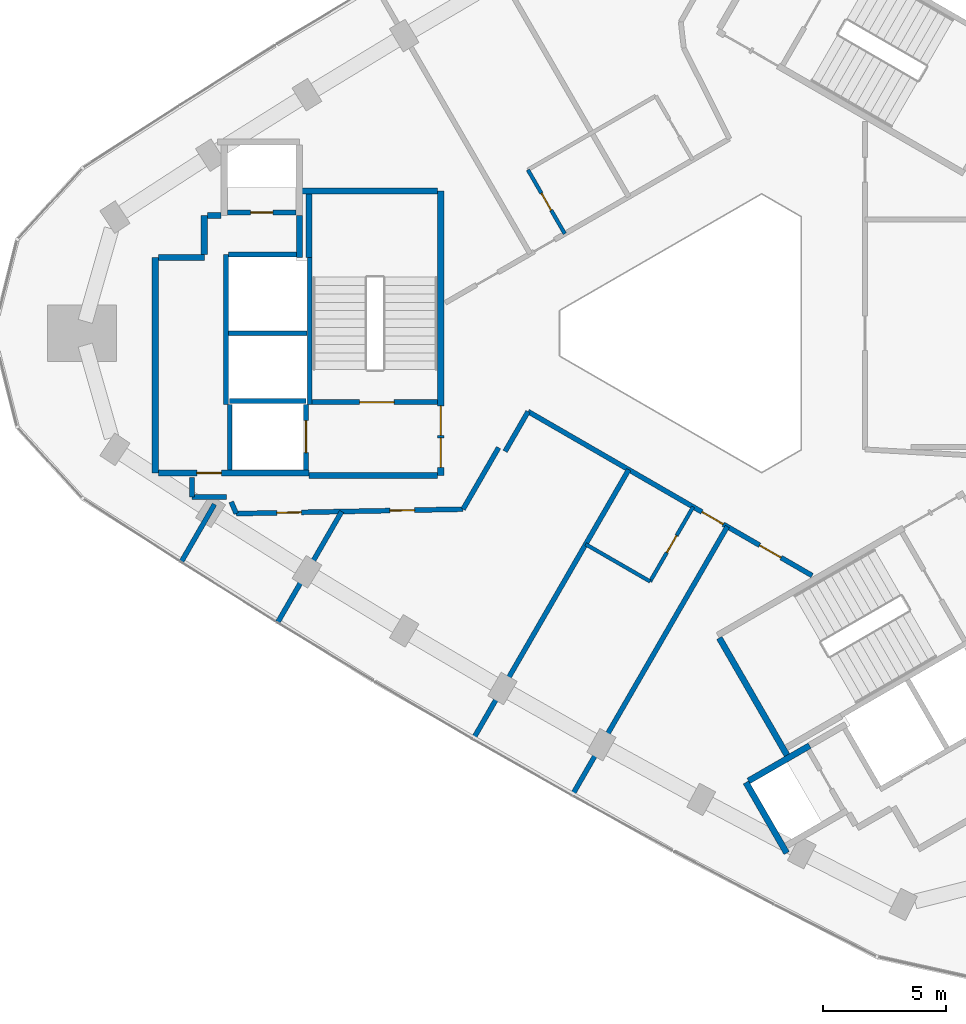
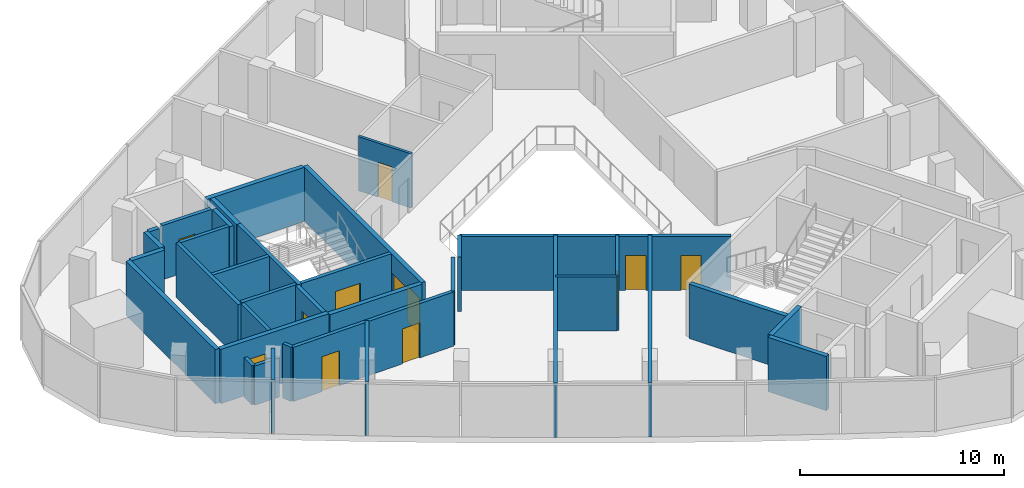
# One storey, part 7 of 11: 36 walls, 12 doors, 12 openings.
"""IFC4 building model written with IfcOpenShell, lengths in metres."""

import ifcopenshell
import ifcopenshell.guid

model = None  # the IFC model being written
_history = None  # IfcOwnerHistory: only IFC2X3 demands one
_inside = {}  # id of a spatial element -> (the spatial element, [elements in it])
_under = {}  # id of a project, library or spatial element -> (it, [spatial elements below it])
_declared = {}  # id of a project -> (the project, [libraries it declares])
_typed = {}  # id of a type object -> (the type object, [elements of that type])
_made_of = {}  # id of a material, layer set ... -> (it, [elements and type objects made of it])


def new_model(schema):
    """Start an empty IFC model of exactly this schema.

    Asked for "IFC4X3", IfcOpenShell would pick the latest addendum, in which some entities
    have other attributes; the version numbers below select the first issue.
    IFC2X3 requires an IfcOwnerHistory on every rooted entity: one is made here for all.
    """
    global model, _history
    if schema == "IFC4X3":
        model = ifcopenshell.file(schema_version=(4, 3, 0, 0))
    else:
        model = ifcopenshell.file(schema=schema)
    _inside.clear()
    _under.clear()
    _declared.clear()
    _typed.clear()
    _made_of.clear()
    _history = None
    if model.schema == "IFC2X3":
        org = make("IfcOrganization", Name="unknown")
        user = make(
            "IfcPersonAndOrganization",
            ThePerson=make("IfcPerson", FamilyName="unknown"),
            TheOrganization=org,
        )
        app = make(
            "IfcApplication",
            ApplicationDeveloper=org,
            Version="unknown",
            ApplicationFullName="unknown",
            ApplicationIdentifier="unknown",
        )
        _history = make(
            "IfcOwnerHistory",
            OwningUser=user,
            OwningApplication=app,
            ChangeAction="ADDED",
            CreationDate=0,
        )
    return model


def make(cls, **values):
    """One entity of the class cls with the attributes given. An attribute that is None is left unset."""
    return model.create_entity(
        cls, **{name: value for name, value in values.items() if value is not None}
    )


def rooted(cls, **values):
    """An entity with a GlobalId (a new one), such as an element, a storey or a relation."""
    return make(cls, GlobalId=ifcopenshell.guid.new(), OwnerHistory=_history, **values)


def si_unit(unit_type, name, prefix=None):
    """IfcSIUnit, for example si_unit("LENGTHUNIT", "METRE", prefix="MILLI")."""
    return make("IfcSIUnit", UnitType=unit_type, Prefix=prefix, Name=name)


def assignment(units):
    """IfcUnitAssignment: the units of a project."""
    return None if units is None else make("IfcUnitAssignment", Units=units)


def point(xyz):
    """IfcCartesianPoint."""
    return None if xyz is None else make("IfcCartesianPoint", Coordinates=xyz)


def direction(xyz):
    """IfcDirection."""
    return None if xyz is None else make("IfcDirection", DirectionRatios=xyz)


def frame(location, z_axis=None, x_axis=None):
    """IfcAxis2Placement3D, a coordinate frame: its origin and axes. An axis left out is left unset."""
    return make(
        "IfcAxis2Placement3D",
        Location=point(location),
        Axis=direction(z_axis),
        RefDirection=direction(x_axis),
    )


def frame_2d(location, x_axis=None):
    """IfcAxis2Placement2D, a coordinate frame in the plane: its origin and x axis."""
    return make(
        "IfcAxis2Placement2D", Location=point(location), RefDirection=direction(x_axis)
    )


def origin():
    """The frame at (0, 0, 0) with its axes left unset."""
    return frame((0.0, 0.0, 0.0))


def place(relative_to, where):
    """IfcLocalPlacement: puts the frame where relative to a parent placement (None: the world)."""
    return make(
        "IfcLocalPlacement", PlacementRelTo=relative_to, RelativePlacement=where
    )


def context(
    kind, dimensions, precision=None, world=None, true_north=None, identifier=None
):
    """IfcGeometricRepresentationContext, for example the 3D "Model" context."""
    return make(
        "IfcGeometricRepresentationContext",
        ContextIdentifier=identifier,
        ContextType=kind,
        CoordinateSpaceDimension=dimensions,
        Precision=precision,
        WorldCoordinateSystem=world,
        TrueNorth=true_north,
    )


def subcontext(parent, identifier, kind, view, scale=None):
    """IfcGeometricRepresentationSubContext, for example "Body" below "Model"."""
    return make(
        "IfcGeometricRepresentationSubContext",
        ContextIdentifier=identifier,
        ContextType=kind,
        ParentContext=parent,
        TargetScale=scale,
        TargetView=view,
    )


def project(units=None, contexts=None):
    """IfcProject with its units and contexts."""
    return rooted(
        "IfcProject",
        Name="project",
        RepresentationContexts=contexts,
        UnitsInContext=assignment(units),
    )


def spatial(cls, under=None, at=None, **own):
    """A site, building, storey or space (cls), placed at a placement, below another one or the project."""
    s = rooted(cls, ObjectPlacement=at, **own)
    if under is not None:
        _under.setdefault(under.id(), (under, []))[1].append(s)
    return s


def profile(cls, at=None, kind="AREA", **sizes):
    """A parametric profile (cls). Its sizes go by their IFC names, for example OverallWidth=200.0."""
    return make(cls, ProfileType=kind, Position=at, **sizes)


def rectangle(**sizes):
    """IfcRectangleProfileDef."""
    return profile("IfcRectangleProfileDef", **sizes)


def extrude(swept, where, along, depth):
    """IfcExtrudedAreaSolid: the profile swept, set in the frame where, extruded along a direction by depth."""
    return make(
        "IfcExtrudedAreaSolid",
        SweptArea=swept,
        Position=where,
        ExtrudedDirection=direction(along),
        Depth=depth,
    )


def shape(context_of_items, identifier, shape_type, items):
    """IfcShapeRepresentation: the items that make up one representation, for example the "Body"."""
    return make(
        "IfcShapeRepresentation",
        ContextOfItems=context_of_items,
        RepresentationIdentifier=identifier,
        RepresentationType=shape_type,
        Items=items,
    )


def material(Name=None, Category=None):
    """IfcMaterial."""
    return make("IfcMaterial", Name=Name, Category=Category)


def layer(
    of_material, thickness, ventilated=None, Name=None, Category=None, Priority=None
):
    """IfcMaterialLayer: one layer of a wall or slab, of a material (None: an air gap)."""
    return make(
        "IfcMaterialLayer",
        Material=of_material,
        LayerThickness=thickness,
        IsVentilated=ventilated,
        Name=Name,
        Category=Category,
        Priority=Priority,
    )


def layer_set(layers, Name=None):
    """IfcMaterialLayerSet."""
    return make("IfcMaterialLayerSet", MaterialLayers=layers, LayerSetName=Name)


def made_of(thing, what):
    """Note that an element or type object is made of a material, layer set ...; save() writes the relation."""
    if what is not None:
        _made_of.setdefault(what.id(), (what, []))[1].append(thing)
    return thing


def type_object(cls, material=None, **own):
    """A type object (cls), such as IfcWallType, which elements share."""
    return made_of(rooted(cls, **own), material)


def element(
    cls,
    number,
    at=None,
    inside=None,
    cuts=None,
    type_object=None,
    material=None,
    context=None,
    identifier="Body",
    shape_type=None,
    held_by="IfcProductDefinitionShape",
    body=None,
    shapes=None,
    **own,
):
    """One element of the class cls, such as IfcWall. Its Tag is "e" and its number.

    at: its placement. inside: the storey or other place that contains it. cuts: it is an
    opening in that element (IfcRelVoidsElement). A single representation is given by context,
    identifier, shape_type and body (its items); several are given by shapes. held_by: the class
    of the entity that holds the representations. save() writes the other relations.
    """
    e = rooted(cls, Tag="e%d" % number, ObjectPlacement=at, **own)
    if body is not None:
        shapes = [shape(context, identifier, shape_type, body)]
    if shapes is not None:
        e.Representation = make(held_by, Representations=shapes)
    if inside is not None:
        _inside.setdefault(inside.id(), (inside, []))[1].append(e)
    if cuts is not None:
        rooted(
            "IfcRelVoidsElement", RelatingBuildingElement=cuts, RelatedOpeningElement=e
        )
    if type_object is not None:
        _typed.setdefault(type_object.id(), (type_object, []))[1].append(e)
    return made_of(e, material)


def fill(opening, filler):
    """IfcRelFillsElement: the door or window that sits in an opening."""
    return rooted(
        "IfcRelFillsElement",
        RelatingOpeningElement=opening,
        RelatedBuildingElement=filler,
    )


def aggregate(whole, parts):
    """IfcRelAggregates: a whole, such as a stair, and the parts it consists of."""
    return rooted("IfcRelAggregates", RelatingObject=whole, RelatedObjects=parts)


def save(model, path):
    """Write the relations noted so far, then the file.

    IfcRelAggregates (storeys below a building ...), IfcRelContainedInSpatialStructure (elements
    in a storey), IfcRelDefinesByType, IfcRelAssociatesMaterial and IfcRelDeclares: one each for
    every whole, place, type object, material and project.
    """
    for whole, parts in _under.values():
        aggregate(whole, parts)
    for where, things in _inside.values():
        rooted(
            "IfcRelContainedInSpatialStructure",
            RelatedElements=things,
            RelatingStructure=where,
        )
    for kind, things in _typed.values():
        rooted("IfcRelDefinesByType", RelatedObjects=things, RelatingType=kind)
    for what, things in _made_of.values():
        rooted("IfcRelAssociatesMaterial", RelatedObjects=things, RelatingMaterial=what)
    for by, libraries in _declared.values():
        rooted("IfcRelDeclares", RelatingContext=by, RelatedDefinitions=libraries)
    model.write(path)


model = new_model("IFC4")

# Units and contexts
model_context = context("Model", 3, precision=1e-05, world=origin(), true_north=direction((0.0, 1.0)))
body_context = subcontext(model_context, "Body", "Model", "MODEL_VIEW")
ifc_project = project(units=[si_unit("LENGTHUNIT", "METRE"), si_unit("AREAUNIT", "SQUARE_METRE"), si_unit("VOLUMEUNIT", "CUBIC_METRE"), si_unit("PLANEANGLEUNIT", "RADIAN"), si_unit("MASSUNIT", "GRAM", prefix="KILO")], contexts=[model_context])

# Site, building, storey
site_placement = place(None, origin())
site = spatial("IfcSite", under=ifc_project, at=site_placement, CompositionType="ELEMENT")
building_placement = place(site_placement, origin())
building = spatial("IfcBuilding", under=site, at=building_placement, Name="Tamra Quay Hotel Tower", CompositionType="ELEMENT")
storey_placement = place(building_placement, frame((0.0, 0.0, 246.60009765625)))
storey = spatial("IfcBuildingStorey", under=building, at=storey_placement, Name="L62", CompositionType="ELEMENT", Elevation=246.60009765625)

# Walls
ifc_material_1 = material(Name="Concrete M70", Category="concrete")
ifc_layer_1 = layer(ifc_material_1, 0.199951171875)
ifc_layer_set_1 = layer_set([ifc_layer_1], Name="Concrete M70 core wall 200")
wall_type_1 = type_object("IfcWallType", Name="Concrete M70 core wall 200", PredefinedType="SHEAR", material=ifc_layer_set_1)
wall_1_placement = place(storey_placement, frame((-16.162109375, 3.073974609375, 0.0), z_axis=(0.0, 0.0, 1.0), x_axis=(0.0, -1.0, 0.0)))
element("IfcWall", 1, at=wall_1_placement, inside=storey, type_object=wall_type_1, Name="CW2", PredefinedType="SHEAR", context=body_context, shape_type="SweptSolid", body=[
    extrude(rectangle(XDim=5.97412109375, YDim=0.199951171875, at=frame_2d((2.987060546875, 0.0))), origin(), (0.0, 0.0, 1.0), 3.25),
])
wall_2_placement = place(storey_placement, frame((-19.5625, -2.900146484375, 0.0), z_axis=(0.0, 0.0, 1.0), x_axis=(0.0, 1.0, 0.0)))
element("IfcWall", 2, at=wall_2_placement, inside=storey, type_object=wall_type_1, Name="CW2", PredefinedType="SHEAR", context=body_context, shape_type="SweptSolid", body=[
    extrude(rectangle(XDim=6.100341796875, YDim=0.199951171875, at=frame_2d((3.05029296875, 0.0))), origin(), (0.0, 0.0, 1.0), 3.25),
])

# Wall, opening, door
wall_3_placement = place(storey_placement, frame((-10.96337890625, -2.800048828125, 0.0), z_axis=(0.0, 0.0, 1.0), x_axis=(-1.0, 0.0, 0.0)))
wall_3 = element("IfcWall", 3, at=wall_3_placement, inside=storey, type_object=wall_type_1, Name="CW2", PredefinedType="SHEAR", context=body_context, shape_type="SweptSolid", body=[
    extrude(rectangle(XDim=5.097900390625, YDim=0.199951171875, at=frame_2d((2.548828125, 0.0))), origin(), (0.0, 0.0, 1.0), 3.25),
])
opening_1_placement = place(wall_3_placement, frame((1.77392578125, 0.0, 0.0)))
opening_1 = element("IfcOpeningElement", 4, at=opening_1_placement, cuts=wall_3, Name="Opening FD2", PredefinedType="OPENING", context=body_context, shape_type="SweptSolid", body=[
    extrude(rectangle(XDim=1.39990234375, YDim=2.10009765625, at=frame_2d((0.699951171875, 1.050048828125))), frame((0.0, 0.10986328125, 0.0), z_axis=(0.0, -1.0, 0.0), x_axis=(1.0, 0.0, 0.0)), (0.0, 0.0, 1.0), 0.219970703125),
])
ifc_material_2 = material(Name="Core door FD2 1400x2100 LH")
door_type_1 = type_object("IfcDoorType", Name="Core door FD2 1400x2100 LH", OperationType="NOTDEFINED", PredefinedType="DOOR", material=ifc_material_2)
door_1_placement = place(opening_1_placement, origin())
door_1 = element("IfcDoor", 5, at=door_1_placement, inside=storey, type_object=door_type_1, Name="FD2", OperationType="SINGLE_SWING_LEFT", OverallHeight=2.10009765625, OverallWidth=1.39990234375, PredefinedType="DOOR", context=body_context, shape_type="SweptSolid", body=[
    extrude(rectangle(XDim=1.39990234375, YDim=2.10009765625, at=frame_2d((0.699951171875, 1.050048828125))), frame((0.0, 0.02490234375, 0.0), z_axis=(0.0, -1.0, 0.0), x_axis=(1.0, 0.0, 0.0)), (0.0, 0.0, 1.0), 0.050048828125),
])
fill(opening_1, door_1)

# Wall
wall_4_placement = place(storey_placement, frame((-16.26318359375, 0.0, 0.0), z_axis=(0.0, 0.0, 1.0), x_axis=(-1.0, 0.0, 0.0)))
element("IfcWall", 6, at=wall_4_placement, inside=storey, type_object=wall_type_1, Name="CW2", PredefinedType="SHEAR", context=body_context, shape_type="SweptSolid", body=[
    extrude(rectangle(XDim=3.1982421875, YDim=0.199951171875, at=frame_2d((1.59912109375, 0.0))), origin(), (0.0, 0.0, 1.0), 3.25),
])

# Wall, opening, door
wall_5_placement = place(storey_placement, frame((-19.51123046875, 4.91015625, 0.0), z_axis=(0.0, 0.0, 1.0), x_axis=(1.0, 0.0, 0.0)))
wall_5 = element("IfcWall", 7, at=wall_5_placement, inside=storey, type_object=wall_type_1, Name="CW2", PredefinedType="SHEAR", context=body_context, shape_type="SweptSolid", body=[
    extrude(rectangle(XDim=2.7978515625, YDim=0.199951171875, at=frame_2d((1.39892578125, 0.0))), origin(), (0.0, 0.0, 1.0), 3.25),
])
opening_2_placement = place(wall_5_placement, frame((0.948974609375, 0.0, 0.0)))
opening_2 = element("IfcOpeningElement", 8, at=opening_2_placement, cuts=wall_5, Name="Opening D1", PredefinedType="OPENING", context=body_context, shape_type="SweptSolid", body=[
    extrude(rectangle(XDim=0.89990234375, YDim=2.10009765625, at=frame_2d((0.449951171875, 1.050048828125))), frame((0.0, 0.10986328125, 0.0), z_axis=(0.0, -1.0, 0.0), x_axis=(1.0, 0.0, 0.0)), (0.0, 0.0, 1.0), 0.219970703125),
])
ifc_material_3 = material(Name="Core door D1 900x2100 RH")
door_type_2 = type_object("IfcDoorType", Name="Core door D1 900x2100 RH", OperationType="NOTDEFINED", PredefinedType="DOOR", material=ifc_material_3)
door_2_placement = place(opening_2_placement, origin())
door_2 = element("IfcDoor", 9, at=door_2_placement, inside=storey, type_object=door_type_2, Name="D1", OperationType="SINGLE_SWING_RIGHT", OverallHeight=2.10009765625, OverallWidth=0.89990234375, PredefinedType="DOOR", context=body_context, shape_type="SweptSolid", body=[
    extrude(rectangle(XDim=0.89990234375, YDim=2.10009765625, at=frame_2d((0.449951171875, 1.050048828125))), frame((0.0, 0.02490234375, 0.0), z_axis=(0.0, -1.0, 0.0), x_axis=(1.0, 0.0, 0.0)), (0.0, 0.0, 1.0), 0.050048828125),
])
fill(opening_2, door_2)

# Walls
wall_6_placement = place(storey_placement, frame((-19.46240234375, 3.2001953125, 0.0), z_axis=(0.0, 0.0, 1.0), x_axis=(1.0, 0.0, 0.0)))
element("IfcWall", 10, at=wall_6_placement, inside=storey, type_object=wall_type_1, Name="CW2", PredefinedType="SHEAR", context=body_context, shape_type="SweptSolid", body=[
    extrude(rectangle(XDim=2.759033203125, YDim=0.199951171875, at=frame_2d((1.37939453125, 0.0))), origin(), (0.0, 0.0, 1.0), 3.25),
])
wall_7_placement = place(storey_placement, frame((-19.412353515625, -2.75, 0.0), z_axis=(0.0, 0.0, 1.0), x_axis=(1.0, 0.0, 0.0)))
element("IfcWall", 11, at=wall_7_placement, inside=storey, type_object=wall_type_1, Name="CW2", PredefinedType="SHEAR", context=body_context, shape_type="SweptSolid", body=[
    extrude(rectangle(XDim=3.10009765625, YDim=0.199951171875, at=frame_2d((1.550048828125, 0.0))), origin(), (0.0, 0.0, 1.0), 3.25),
])

# Wall, opening, door
wall_8_placement = place(storey_placement, frame((-16.312255859375, -2.898193359375, 0.0), z_axis=(0.0, 0.0, 1.0), x_axis=(0.0, -1.0, 0.0)))
wall_8 = element("IfcWall", 12, at=wall_8_placement, inside=storey, type_object=wall_type_1, Name="CW2", PredefinedType="SHEAR", context=body_context, shape_type="SweptSolid", body=[
    extrude(rectangle(XDim=2.65087890625, YDim=0.199951171875, at=frame_2d((1.325439453125, 0.0))), origin(), (0.0, 0.0, 1.0), 3.25),
])
opening_3_placement = place(wall_8_placement, frame((0.65185546875, 0.0, 0.0)))
opening_3 = element("IfcOpeningElement", 13, at=opening_3_placement, cuts=wall_8, Name="Opening LD", PredefinedType="OPENING", context=body_context, shape_type="SweptSolid", body=[
    extrude(rectangle(XDim=1.300048828125, YDim=2.10009765625, at=frame_2d((0.64990234375, 1.050048828125))), frame((0.0, 0.10986328125, 0.0), z_axis=(0.0, -1.0, 0.0), x_axis=(1.0, 0.0, 0.0)), (0.0, 0.0, 1.0), 0.219970703125),
])
ifc_material_4 = material(Name="Landing door LD 1300 sliding to left")
door_type_3 = type_object("IfcDoorType", Name="Landing door LD 1300 sliding to left", OperationType="NOTDEFINED", PredefinedType="DOOR", material=ifc_material_4)
door_3_placement = place(opening_3_placement, origin())
door_3 = element("IfcDoor", 14, at=door_3_placement, inside=storey, type_object=door_type_3, Name="LD", OperationType="SLIDING_TO_LEFT", OverallHeight=2.10009765625, OverallWidth=1.300048828125, PredefinedType="DOOR", context=body_context, shape_type="SweptSolid", body=[
    extrude(rectangle(XDim=1.300048828125, YDim=2.10009765625, at=frame_2d((0.64990234375, 1.050048828125))), frame((0.0, 0.02490234375, 0.0), z_axis=(0.0, -1.0, 0.0), x_axis=(1.0, 0.0, 0.0)), (0.0, 0.0, 1.0), 0.050048828125),
])
fill(opening_3, door_3)

# Wall
wall_9_placement = place(storey_placement, frame((-19.412353515625, -5.549072265625, 0.0), z_axis=(0.0, 0.0, 1.0), x_axis=(0.0, 1.0, 0.0)))
element("IfcWall", 15, at=wall_9_placement, inside=storey, type_object=wall_type_1, Name="CW2", PredefinedType="SHEAR", context=body_context, shape_type="SweptSolid", body=[
    extrude(rectangle(XDim=2.65087890625, YDim=0.199951171875, at=frame_2d((1.325439453125, 0.0))), origin(), (0.0, 0.0, 1.0), 3.25),
])

# Wall, openings, doors
ifc_layer_2 = layer(ifc_material_1, 0.25)
ifc_layer_set_2 = layer_set([ifc_layer_2], Name="Concrete M70 core wall 250")
wall_type_2 = type_object("IfcWallType", Name="Concrete M70 core wall 250", PredefinedType="SHEAR", material=ifc_layer_set_2)
wall_10_placement = place(storey_placement, frame((-10.83740234375, 5.77490234375, 0.0), z_axis=(0.0, 0.0, 1.0), x_axis=(0.0, -1.0, 0.0)))
wall_10 = element("IfcWall", 16, at=wall_10_placement, inside=storey, type_object=wall_type_2, Name="CW1", PredefinedType="SHEAR", context=body_context, shape_type="SweptSolid", body=[
    extrude(rectangle(XDim=11.5498046875, YDim=0.25, at=frame_2d((5.77490234375, 0.0))), origin(), (0.0, 0.0, 1.0), 3.25),
])
opening_4_placement = place(wall_10_placement, frame((10.02490234375, 0.0, 0.0)))
opening_4 = element("IfcOpeningElement", 17, at=opening_4_placement, cuts=wall_10, Name="Opening FD1", PredefinedType="OPENING", context=body_context, shape_type="SweptSolid", body=[
    extrude(rectangle(XDim=1.199951171875, YDim=2.10009765625, at=frame_2d((0.60009765625, 1.050048828125))), frame((0.0, 0.135009765625, 0.0), z_axis=(0.0, -1.0, 0.0), x_axis=(1.0, 0.0, 0.0)), (0.0, 0.0, 1.0), 0.27001953125),
])
opening_5_placement = place(wall_10_placement, frame((8.72509765625, 0.0, 0.0)))
opening_5 = element("IfcOpeningElement", 18, at=opening_5_placement, cuts=wall_10, Name="Opening FD1", PredefinedType="OPENING", context=body_context, shape_type="SweptSolid", body=[
    extrude(rectangle(XDim=1.199951171875, YDim=2.10009765625, at=frame_2d((0.60009765625, 1.050048828125))), frame((0.0, 0.135009765625, 0.0), z_axis=(0.0, -1.0, 0.0), x_axis=(1.0, 0.0, 0.0)), (0.0, 0.0, 1.0), 0.27001953125),
])
ifc_material_5 = material(Name="Core door FD1 1200x2100 LH")
door_type_4 = type_object("IfcDoorType", Name="Core door FD1 1200x2100 LH", OperationType="NOTDEFINED", PredefinedType="DOOR", material=ifc_material_5)
door_4_placement = place(opening_4_placement, origin())
door_4 = element("IfcDoor", 19, at=door_4_placement, inside=storey, type_object=door_type_4, Name="FD1", OperationType="SINGLE_SWING_LEFT", OverallHeight=2.10009765625, OverallWidth=1.199951171875, PredefinedType="DOOR", context=body_context, shape_type="SweptSolid", body=[
    extrude(rectangle(XDim=1.199951171875, YDim=2.10009765625, at=frame_2d((0.60009765625, 1.050048828125))), frame((0.0, 0.02490234375, 0.0), z_axis=(0.0, -1.0, 0.0), x_axis=(1.0, 0.0, 0.0)), (0.0, 0.0, 1.0), 0.050048828125),
])
fill(opening_4, door_4)
ifc_material_6 = material(Name="Core door FD1 1200x2100 RH")
door_type_5 = type_object("IfcDoorType", Name="Core door FD1 1200x2100 RH", OperationType="NOTDEFINED", PredefinedType="DOOR", material=ifc_material_6)
door_5_placement = place(opening_5_placement, origin())
door_5 = element("IfcDoor", 20, at=door_5_placement, inside=storey, type_object=door_type_5, Name="FD1", OperationType="SINGLE_SWING_RIGHT", OverallHeight=2.10009765625, OverallWidth=1.199951171875, PredefinedType="DOOR", context=body_context, shape_type="SweptSolid", body=[
    extrude(rectangle(XDim=1.199951171875, YDim=2.10009765625, at=frame_2d((0.60009765625, 1.050048828125))), frame((0.0, 0.02490234375, 0.0), z_axis=(0.0, -1.0, 0.0), x_axis=(1.0, 0.0, 0.0)), (0.0, 0.0, 1.0), 0.050048828125),
])
fill(opening_5, door_5)

# Wall
wall_11_placement = place(storey_placement, frame((-22.437255859375, -5.675048828125, 0.0), z_axis=(0.0, 0.0, 1.0), x_axis=(0.0, 1.0, 0.0)))
element("IfcWall", 21, at=wall_11_placement, inside=storey, type_object=wall_type_2, Name="CW1", PredefinedType="SHEAR", context=body_context, shape_type="SweptSolid", body=[
    extrude(rectangle(XDim=8.75, YDim=0.25, at=frame_2d((4.375, 0.0))), origin(), (0.0, 0.0, 1.0), 3.25),
])

# Wall, opening, door
wall_12_placement = place(storey_placement, frame((-16.187255859375, -5.675048828125, 0.0), z_axis=(0.0, 0.0, 1.0), x_axis=(-1.0, 0.0, 0.0)))
wall_12 = element("IfcWall", 22, at=wall_12_placement, inside=storey, type_object=wall_type_2, Name="CW1", PredefinedType="SHEAR", context=body_context, shape_type="SweptSolid", body=[
    extrude(rectangle(XDim=6.12451171875, YDim=0.25, at=frame_2d((3.062255859375, 0.0))), origin(), (0.0, 0.0, 1.0), 3.25),
])
opening_6_placement = place(wall_12_placement, frame((3.562744140625, 0.0, 0.0)))
opening_6 = element("IfcOpeningElement", 23, at=opening_6_placement, cuts=wall_12, Name="Opening FD3", PredefinedType="OPENING", context=body_context, shape_type="SweptSolid", body=[
    extrude(rectangle(XDim=1.0, YDim=2.10009765625, at=frame_2d((0.5, 1.050048828125))), frame((0.0, 0.135009765625, 0.0), z_axis=(0.0, -1.0, 0.0), x_axis=(1.0, 0.0, 0.0)), (0.0, 0.0, 1.0), 0.27001953125),
])
ifc_material_7 = material(Name="Core door FD3 1000x2100 LH")
door_type_6 = type_object("IfcDoorType", Name="Core door FD3 1000x2100 LH", OperationType="NOTDEFINED", PredefinedType="DOOR", material=ifc_material_7)
door_6_placement = place(opening_6_placement, origin())
door_6 = element("IfcDoor", 24, at=door_6_placement, inside=storey, type_object=door_type_6, Name="FD3", OperationType="SINGLE_SWING_LEFT", OverallHeight=2.10009765625, OverallWidth=1.0, PredefinedType="DOOR", context=body_context, shape_type="SweptSolid", body=[
    extrude(rectangle(XDim=1.0, YDim=2.10009765625, at=frame_2d((0.5, 1.050048828125))), frame((0.0, 0.02490234375, 0.0), z_axis=(0.0, -1.0, 0.0), x_axis=(1.0, 0.0, 0.0)), (0.0, 0.0, 1.0), 0.050048828125),
])
fill(opening_6, door_6)

# Walls
wall_13_placement = place(storey_placement, frame((-10.962646484375, -5.77490234375, 0.0), z_axis=(0.0, 0.0, 1.0), x_axis=(-1.0, 0.0, 0.0)))
element("IfcWall", 25, at=wall_13_placement, inside=storey, type_object=wall_type_2, Name="CW1", PredefinedType="SHEAR", context=body_context, shape_type="SweptSolid", body=[
    extrude(rectangle(XDim=5.224609375, YDim=0.25, at=frame_2d((2.6123046875, 0.0))), origin(), (0.0, 0.0, 1.0), 3.25),
])
wall_14_placement = place(storey_placement, frame((-16.47216796875, 5.77490234375, 0.0), z_axis=(0.0, 0.0, 1.0), x_axis=(1.0, 0.0, 0.0)))
element("IfcWall", 26, at=wall_14_placement, inside=storey, type_object=wall_type_2, Name="CW1", PredefinedType="SHEAR", context=body_context, shape_type="SweptSolid", body=[
    extrude(rectangle(XDim=5.509521484375, YDim=0.25, at=frame_2d((2.7548828125, 0.0))), origin(), (0.0, 0.0, 1.0), 3.25),
])
wall_15_placement = place(storey_placement, frame((-16.187255859375, 3.074951171875, 0.0), z_axis=(0.0, 0.0, 1.0), x_axis=(0.0, 1.0, 0.0)))
element("IfcWall", 27, at=wall_15_placement, inside=storey, type_object=wall_type_2, Name="CW1", PredefinedType="SHEAR", context=body_context, shape_type="SweptSolid", body=[
    extrude(rectangle(XDim=2.57470703125, YDim=0.25, at=frame_2d((1.287353515625, 0.0))), origin(), (0.0, 0.0, 1.0), 3.25),
])
wall_16_placement = place(storey_placement, frame((-22.311767578125, 3.074951171875, 0.0), z_axis=(0.0, 0.0, 1.0), x_axis=(1.0, 0.0, 0.0)))
element("IfcWall", 28, at=wall_16_placement, inside=storey, type_object=wall_type_2, Name="CW1", PredefinedType="SHEAR", context=body_context, shape_type="SweptSolid", body=[
    extrude(rectangle(XDim=1.864501953125, YDim=0.25, at=frame_2d((0.93212890625, 0.0))), origin(), (0.0, 0.0, 1.0), 3.25),
])
wall_17_placement = place(storey_placement, frame((-16.577392578125, 4.784912109375, 0.0), z_axis=(0.0, 0.0, 1.0), x_axis=(0.0, -1.0, 0.0)))
element("IfcWall", 29, at=wall_17_placement, inside=storey, type_object=wall_type_2, Name="CW1", PredefinedType="SHEAR", context=body_context, shape_type="SweptSolid", body=[
    extrude(rectangle(XDim=1.7099609375, YDim=0.25, at=frame_2d((0.85498046875, 0.0))), origin(), (0.0, 0.0, 1.0), 3.25),
])
wall_18_placement = place(storey_placement, frame((-20.447265625, 3.200439453125, 0.0), z_axis=(0.0, 0.0, 1.0), x_axis=(0.0, 1.0, 0.0)))
element("IfcWall", 30, at=wall_18_placement, inside=storey, type_object=wall_type_2, Name="CW1", PredefinedType="SHEAR", context=body_context, shape_type="SweptSolid", body=[
    extrude(rectangle(XDim=1.58447265625, YDim=0.25, at=frame_2d((0.792236328125, 0.0))), origin(), (0.0, 0.0, 1.0), 3.25),
])
wall_19_placement = place(storey_placement, frame((-20.32177734375, 4.784912109375, 0.0), z_axis=(0.0, 0.0, 1.0), x_axis=(1.0, 0.0, 0.0)))
element("IfcWall", 31, at=wall_19_placement, inside=storey, type_object=wall_type_2, Name="CW1", PredefinedType="SHEAR", context=body_context, shape_type="SweptSolid", body=[
    extrude(rectangle(XDim=0.55908203125, YDim=0.25, at=frame_2d((0.279541015625, 0.0))), origin(), (0.0, 0.0, 1.0), 3.25),
])
wall_20_placement = place(storey_placement, frame((3.23486328125, -17.15283203125, 0.0), z_axis=(0.0, 0.0, 1.0), x_axis=(-0.500008851346, 0.866020293397, 0.0)))
element("IfcWall", 32, at=wall_20_placement, inside=storey, type_object=wall_type_2, Name="CW1", PredefinedType="SHEAR", context=body_context, shape_type="SweptSolid", body=[
    extrude(rectangle(XDim=5.509765625, YDim=0.25, at=frame_2d((2.7548828125, 0.0))), origin(), (0.0, 0.0, 1.0), 3.25),
])
wall_21_placement = place(storey_placement, frame((3.216796875, -21.12158203125, 0.0), z_axis=(0.0, 0.0, 1.0), x_axis=(-0.499998874531, 0.866026053573, 0.0)))
element("IfcWall", 33, at=wall_21_placement, inside=storey, type_object=wall_type_2, Name="CW1", PredefinedType="SHEAR", context=body_context, shape_type="SweptSolid", body=[
    extrude(rectangle(XDim=3.31298828125, YDim=0.25, at=frame_2d((1.656494140625, 0.0))), origin(), (0.0, 0.0, 1.0), 3.25),
])
wall_22_placement = place(storey_placement, frame((1.6689453125, -18.189697265625, 0.0), z_axis=(0.0, 0.0, 1.0), x_axis=(0.866042235819, 0.499970844928, 0.0)))
element("IfcWall", 34, at=wall_22_placement, inside=storey, type_object=wall_type_2, Name="CW1", PredefinedType="SHEAR", context=body_context, shape_type="SweptSolid", body=[
    extrude(rectangle(XDim=2.864501953125, YDim=0.25, at=frame_2d((1.43212890625, 0.0))), origin(), (0.0, 0.0, 1.0), 3.25),
])
ifc_material_8 = material(Name="Partition corridor wall")
ifc_layer_3 = layer(ifc_material_8, 0.199951171875)
ifc_layer_set_3 = layer_set([ifc_layer_3], Name="Partition corridor wall")
wall_type_3 = type_object("IfcWallType", Name="Partition corridor wall", PredefinedType="PARTITIONING", material=ifc_layer_set_3)
wall_23_placement = place(storey_placement, frame((-20.949951171875, -6.64990234375, 0.0), z_axis=(0.0, 0.0, 1.0), x_axis=(0.0, 1.0, 0.0)))
element("IfcWall", 35, at=wall_23_placement, inside=storey, type_object=wall_type_3, Name="W-C", PredefinedType="PARTITIONING", context=body_context, shape_type="SweptSolid", body=[
    extrude(rectangle(XDim=0.789794921875, YDim=0.199951171875, at=frame_2d((0.39501953125, 0.0))), origin(), (0.0, 0.0, 1.0), 2.349853515625),
])
wall_24_placement = place(storey_placement, frame((-20.949951171875, -6.64990234375, 0.0), z_axis=(0.0, 0.0, 1.0), x_axis=(1.0, 0.0, 0.0)))
element("IfcWall", 36, at=wall_24_placement, inside=storey, type_object=wall_type_3, Name="W-C", PredefinedType="PARTITIONING", context=body_context, shape_type="SweptSolid", body=[
    extrude(rectangle(XDim=1.39990234375, YDim=0.199951171875, at=frame_2d((0.699951171875, 0.0))), origin(), (0.0, 0.0, 1.0), 2.349853515625),
])
wall_25_placement = place(storey_placement, frame((-19.14990234375, -7.327880859375, 0.0), z_axis=(0.0, 0.0, 1.0), x_axis=(-0.38712813986, 0.92202592335, 0.0)))
element("IfcWall", 37, at=wall_25_placement, inside=storey, type_object=wall_type_3, Name="W-C", PredefinedType="PARTITIONING", context=body_context, shape_type="SweptSolid", body=[
    extrude(rectangle(XDim=0.51708984375, YDim=0.199951171875, at=frame_2d((0.258544921875, 0.0))), origin(), (0.0, 0.0, 1.0), 3.25),
])

# Wall, openings, doors
wall_26_placement = place(storey_placement, frame((-19.14892578125, -7.3291015625, 0.0), z_axis=(0.0, 0.0, 1.0), x_axis=(0.999808990333, 0.019544381503, 0.0)))
wall_26 = element("IfcWall", 38, at=wall_26_placement, inside=storey, type_object=wall_type_3, Name="W-C", PredefinedType="PARTITIONING", context=body_context, shape_type="SweptSolid", body=[
    extrude(rectangle(XDim=9.21875, YDim=0.199951171875, at=frame_2d((4.609375, 0.0))), origin(), (0.0, 0.0, 1.0), 3.25),
])
opening_7_placement = place(wall_26_placement, frame((1.64892578125, 0.0, 0.0)))
opening_7 = element("IfcOpeningElement", 39, at=opening_7_placement, cuts=wall_26, Name="Opening L62-D007", PredefinedType="OPENING", context=body_context, shape_type="SweptSolid", body=[
    extrude(rectangle(XDim=1.0, YDim=2.10009765625, at=frame_2d((0.5, 1.050048828125))), frame((0.0, 0.10986328125, 0.0), z_axis=(0.0, -1.0, 0.0), x_axis=(1.0, 0.0, 0.0)), (0.0, 0.0, 1.0), 0.219970703125),
])
opening_8_placement = place(wall_26_placement, frame((6.245361328125, 0.0, 0.0)))
opening_8 = element("IfcOpeningElement", 40, at=opening_8_placement, cuts=wall_26, Name="Opening L62-D008", PredefinedType="OPENING", context=body_context, shape_type="SweptSolid", body=[
    extrude(rectangle(XDim=1.0, YDim=2.10009765625, at=frame_2d((0.5, 1.050048828125))), frame((0.0, 0.10986328125, 0.0), z_axis=(0.0, -1.0, 0.0), x_axis=(1.0, 0.0, 0.0)), (0.0, 0.0, 1.0), 0.219970703125),
])
ifc_material_9 = material(Name="Door guest room 1000x2100")
door_type_7 = type_object("IfcDoorType", Name="Door guest room 1000x2100", OperationType="NOTDEFINED", PredefinedType="DOOR", material=ifc_material_9)
door_7_placement = place(opening_7_placement, frame((1.0, 0.0, 0.0), z_axis=(0.0, 0.0, 1.0), x_axis=(-1.0, 0.0, 0.0)))
door_7 = element("IfcDoor", 41, at=door_7_placement, inside=storey, type_object=door_type_7, Name="L62-D007", OperationType="SINGLE_SWING_LEFT", OverallHeight=2.10009765625, OverallWidth=1.0, PredefinedType="DOOR", context=body_context, shape_type="SweptSolid", body=[
    extrude(rectangle(XDim=1.0, YDim=2.10009765625, at=frame_2d((0.5, 1.050048828125))), frame((0.0, 0.02490234375, 0.0), z_axis=(0.0, -1.0, 0.0), x_axis=(1.0, 0.0, 0.0)), (0.0, 0.0, 1.0), 0.050048828125),
])
fill(opening_7, door_7)
door_8_placement = place(opening_8_placement, frame((1.0, 0.0, 0.0), z_axis=(0.0, 0.0, 1.0), x_axis=(-1.0, 0.0, 0.0)))
door_8 = element("IfcDoor", 42, at=door_8_placement, inside=storey, type_object=door_type_7, Name="L62-D008", OperationType="SINGLE_SWING_LEFT", OverallHeight=2.10009765625, OverallWidth=1.0, PredefinedType="DOOR", context=body_context, shape_type="SweptSolid", body=[
    extrude(rectangle(XDim=1.0, YDim=2.10009765625, at=frame_2d((0.5, 1.050048828125))), frame((0.0, 0.02490234375, 0.0), z_axis=(0.0, -1.0, 0.0), x_axis=(1.0, 0.0, 0.0)), (0.0, 0.0, 1.0), 0.050048828125),
])
fill(opening_8, door_8)

# Walls
wall_27_placement = place(storey_placement, frame((-9.930908203125, -7.14892578125, 0.0), z_axis=(0.0, 0.0, 1.0), x_axis=(0.499829760107, 0.866123669525, 0.0)))
element("IfcWall", 43, at=wall_27_placement, inside=storey, type_object=wall_type_3, Name="W-C", PredefinedType="PARTITIONING", context=body_context, shape_type="SweptSolid", body=[
    extrude(rectangle(XDim=2.888671875, YDim=0.199951171875, at=frame_2d((1.4443359375, 0.0))), origin(), (0.0, 0.0, 1.0), 3.25),
])
wall_28_placement = place(storey_placement, frame((-8.222900390625, -4.800048828125, 0.0), z_axis=(0.0, 0.0, 1.0), x_axis=(0.499835576036, 0.866120313195, 0.0)))
element("IfcWall", 44, at=wall_28_placement, inside=storey, type_object=wall_type_3, Name="W-C", PredefinedType="PARTITIONING", context=body_context, shape_type="SweptSolid", body=[
    extrude(rectangle(XDim=1.868408203125, YDim=0.199951171875, at=frame_2d((0.93408203125, 0.0))), origin(), (0.0, 0.0, 1.0), 3.25),
])

# Wall, openings, doors
wall_29_placement = place(storey_placement, frame((-7.2890625, -3.181884765625, 0.0), z_axis=(0.0, 0.0, 1.0), x_axis=(0.865979329032, -0.500079795322, 0.0)))
wall_29 = element("IfcWall", 45, at=wall_29_placement, inside=storey, type_object=wall_type_3, Name="W-C", PredefinedType="PARTITIONING", context=body_context, shape_type="SweptSolid", body=[
    extrude(rectangle(XDim=13.325927734375, YDim=0.199951171875, at=frame_2d((6.6630859375, 0.0))), origin(), (0.0, 0.0, 1.0), 3.25),
])
opening_9_placement = place(wall_29_placement, frame((8.15771484375, 0.0, 0.0)))
opening_9 = element("IfcOpeningElement", 46, at=opening_9_placement, cuts=wall_29, Name="Opening L62-D009", PredefinedType="OPENING", context=body_context, shape_type="SweptSolid", body=[
    extrude(rectangle(XDim=1.0, YDim=2.10009765625, at=frame_2d((0.5, 1.050048828125))), frame((0.0, 0.10986328125, 0.0), z_axis=(0.0, -1.0, 0.0), x_axis=(1.0, 0.0, 0.0)), (0.0, 0.0, 1.0), 0.219970703125),
])
opening_10_placement = place(wall_29_placement, frame((10.86474609375, 0.0, 0.0)))
opening_10 = element("IfcOpeningElement", 47, at=opening_10_placement, cuts=wall_29, Name="Opening L62-D011", PredefinedType="OPENING", context=body_context, shape_type="SweptSolid", body=[
    extrude(rectangle(XDim=1.0, YDim=2.10009765625, at=frame_2d((0.5, 1.050048828125))), frame((0.0, 0.10986328125, 0.0), z_axis=(0.0, -1.0, 0.0), x_axis=(1.0, 0.0, 0.0)), (0.0, 0.0, 1.0), 0.219970703125),
])
door_9_placement = place(opening_9_placement, frame((1.0, 0.0, 0.0), z_axis=(0.0, 0.0, 1.0), x_axis=(-1.0, 0.0, 0.0)))
door_9 = element("IfcDoor", 48, at=door_9_placement, inside=storey, type_object=door_type_7, Name="L62-D009", OperationType="SINGLE_SWING_LEFT", OverallHeight=2.10009765625, OverallWidth=1.0, PredefinedType="DOOR", context=body_context, shape_type="SweptSolid", body=[
    extrude(rectangle(XDim=1.0, YDim=2.10009765625, at=frame_2d((0.5, 1.050048828125))), frame((0.0, 0.02490234375, 0.0), z_axis=(0.0, -1.0, 0.0), x_axis=(1.0, 0.0, 0.0)), (0.0, 0.0, 1.0), 0.050048828125),
])
fill(opening_9, door_9)
door_10_placement = place(opening_10_placement, frame((1.0, 0.0, 0.0), z_axis=(0.0, 0.0, 1.0), x_axis=(-1.0, 0.0, 0.0)))
door_10 = element("IfcDoor", 49, at=door_10_placement, inside=storey, type_object=door_type_7, Name="L62-D011", OperationType="SINGLE_SWING_LEFT", OverallHeight=2.10009765625, OverallWidth=1.0, PredefinedType="DOOR", context=body_context, shape_type="SweptSolid", body=[
    extrude(rectangle(XDim=1.0, YDim=2.10009765625, at=frame_2d((0.5, 1.050048828125))), frame((0.0, 0.02490234375, 0.0), z_axis=(0.0, -1.0, 0.0), x_axis=(1.0, 0.0, 0.0)), (0.0, 0.0, 1.0), 0.050048828125),
])
fill(opening_10, door_10)

# Wall, opening, door
ifc_material_10 = material(Name="Partition en-suite wall")
ifc_layer_4 = layer(ifc_material_10, 0.14990234375)
ifc_layer_set_4 = layer_set([ifc_layer_4], Name="Partition en-suite wall")
wall_type_4 = type_object("IfcWallType", Name="Partition en-suite wall", PredefinedType="PARTITIONING", material=ifc_layer_set_4)
wall_30_placement = place(storey_placement, frame((-7.298095703125, 6.64111328125, 0.0), z_axis=(0.0, 0.0, 1.0), x_axis=(0.499990139034, -0.866031096941, 0.0)))
wall_30 = element("IfcWall", 50, at=wall_30_placement, inside=storey, type_object=wall_type_4, Name="W-E", PredefinedType="PARTITIONING", context=body_context, shape_type="SweptSolid", body=[
    extrude(rectangle(XDim=3.0, YDim=0.14990234375, at=frame_2d((1.5, 0.0))), origin(), (0.0, 0.0, 1.0), 3.25),
])
opening_11_placement = place(wall_30_placement, frame((1.100341796875, 0.0, 0.0)))
opening_11 = element("IfcOpeningElement", 51, at=opening_11_placement, cuts=wall_30, Name="Opening L62-D005", PredefinedType="OPENING", context=body_context, shape_type="SweptSolid", body=[
    extrude(rectangle(XDim=0.800048828125, YDim=2.10009765625, at=frame_2d((0.39990234375, 1.050048828125))), frame((0.0, 0.0849609375, 0.0), z_axis=(0.0, -1.0, 0.0), x_axis=(1.0, 0.0, 0.0)), (0.0, 0.0, 1.0), 0.169921875),
])
ifc_material_11 = material(Name="Door en-suite 800x2100")
door_type_8 = type_object("IfcDoorType", Name="Door en-suite 800x2100", OperationType="NOTDEFINED", PredefinedType="DOOR", material=ifc_material_11)
door_11_placement = place(opening_11_placement, origin())
door_11 = element("IfcDoor", 52, at=door_11_placement, inside=storey, type_object=door_type_8, Name="L62-D005", OperationType="SINGLE_SWING_LEFT", OverallHeight=2.10009765625, OverallWidth=0.800048828125, PredefinedType="DOOR", context=body_context, shape_type="SweptSolid", body=[
    extrude(rectangle(XDim=0.800048828125, YDim=2.10009765625, at=frame_2d((0.39990234375, 1.050048828125))), frame((0.0, 0.02490234375, 0.0), z_axis=(0.0, -1.0, 0.0), x_axis=(1.0, 0.0, 0.0)), (0.0, 0.0, 1.0), 0.050048828125),
])
fill(opening_11, door_11)

# Wall
wall_31_placement = place(storey_placement, frame((-4.949951171875, -8.573974609375, 0.0), z_axis=(0.0, 0.0, 1.0), x_axis=(0.866033665757, -0.499985689571, 0.0)))
element("IfcWall", 53, at=wall_31_placement, inside=storey, type_object=wall_type_4, Name="W-E", PredefinedType="PARTITIONING", context=body_context, shape_type="SweptSolid", body=[
    extrude(rectangle(XDim=3.02392578125, YDim=0.14990234375, at=frame_2d((1.511962890625, 0.0))), origin(), (0.0, 0.0, 1.0), 3.25),
])

# Wall, opening, door
wall_32_placement = place(storey_placement, frame((-2.3310546875, -10.0859375, 0.0), z_axis=(0.0, 0.0, 1.0), x_axis=(0.500010275428, 0.866019471182, 0.0)))
wall_32 = element("IfcWall", 54, at=wall_32_placement, inside=storey, type_object=wall_type_4, Name="W-E", PredefinedType="PARTITIONING", context=body_context, shape_type="SweptSolid", body=[
    extrude(rectangle(XDim=3.5, YDim=0.14990234375, at=frame_2d((1.75, 0.0))), origin(), (0.0, 0.0, 1.0), 3.25),
])
opening_12_placement = place(wall_32_placement, frame((1.35009765625, 0.0, 0.0)))
opening_12 = element("IfcOpeningElement", 55, at=opening_12_placement, cuts=wall_32, Name="Opening L62-D010", PredefinedType="OPENING", context=body_context, shape_type="SweptSolid", body=[
    extrude(rectangle(XDim=0.800048828125, YDim=2.10009765625, at=frame_2d((0.39990234375, 1.050048828125))), frame((0.0, 0.0849609375, 0.0), z_axis=(0.0, -1.0, 0.0), x_axis=(1.0, 0.0, 0.0)), (0.0, 0.0, 1.0), 0.169921875),
])
door_12_placement = place(opening_12_placement, origin())
door_12 = element("IfcDoor", 56, at=door_12_placement, inside=storey, type_object=door_type_8, Name="L62-D010", OperationType="SINGLE_SWING_LEFT", OverallHeight=2.10009765625, OverallWidth=0.800048828125, PredefinedType="DOOR", context=body_context, shape_type="SweptSolid", body=[
    extrude(rectangle(XDim=0.800048828125, YDim=2.10009765625, at=frame_2d((0.39990234375, 1.050048828125))), frame((0.0, 0.02490234375, 0.0), z_axis=(0.0, -1.0, 0.0), x_axis=(1.0, 0.0, 0.0)), (0.0, 0.0, 1.0), 0.050048828125),
])
fill(opening_12, door_12)

# Walls
ifc_material_12 = material(Name="Partition party wall")
ifc_layer_5 = layer(ifc_material_12, 0.199951171875)
ifc_layer_set_5 = layer_set([ifc_layer_5], Name="Partition party wall")
wall_type_5 = type_object("IfcWallType", Name="Partition party wall", PredefinedType="PARTITIONING", material=ifc_layer_set_5)
wall_33_placement = place(storey_placement, frame((-21.385498046875, -9.298828125, 0.0), z_axis=(0.0, 0.0, 1.0), x_axis=(0.499818570291, 0.86613012694, 0.0)))
element("IfcWall", 57, at=wall_33_placement, inside=storey, type_object=wall_type_5, Name="W-P", PredefinedType="PARTITIONING", context=body_context, shape_type="SweptSolid", body=[
    extrude(rectangle(XDim=2.7119140625, YDim=0.199951171875, at=frame_2d((1.35595703125, 0.0))), origin(), (0.0, 0.0, 1.0), 3.25),
])
wall_34_placement = place(storey_placement, frame((-17.467529296875, -11.755859375, 0.0), z_axis=(0.0, 0.0, 1.0), x_axis=(0.499890179513, 0.866088799389, 0.0)))
element("IfcWall", 58, at=wall_34_placement, inside=storey, type_object=wall_type_5, Name="W-P", PredefinedType="PARTITIONING", context=body_context, shape_type="SweptSolid", body=[
    extrude(rectangle(XDim=5.208251953125, YDim=0.199951171875, at=frame_2d((2.60400390625, 0.0))), origin(), (0.0, 0.0, 1.0), 3.25),
])
wall_35_placement = place(storey_placement, frame((-9.52490234375, -16.498046875, 0.0), z_axis=(0.0, 0.0, 1.0), x_axis=(0.500002007972, 0.866024244478, 0.0)))
element("IfcWall", 59, at=wall_35_placement, inside=storey, type_object=wall_type_5, Name="W-P", PredefinedType="PARTITIONING", context=body_context, shape_type="SweptSolid", body=[
    extrude(rectangle(XDim=12.64990234375, YDim=0.199951171875, at=frame_2d((6.324951171875, 0.0))), origin(), (0.0, 0.0, 1.0), 3.25),
])
wall_36_placement = place(storey_placement, frame((-5.502685546875, -18.781005859375, 0.0), z_axis=(0.0, 0.0, 1.0), x_axis=(0.499968699423, 0.866043474427, 0.0)))
element("IfcWall", 60, at=wall_36_placement, inside=storey, type_object=wall_type_5, Name="W-P", PredefinedType="PARTITIONING", context=body_context, shape_type="SweptSolid", body=[
    extrude(rectangle(XDim=12.615966796875, YDim=0.199951171875, at=frame_2d((6.30810546875, 0.0))), origin(), (0.0, 0.0, 1.0), 3.25),
])

save(model, "model.ifc")
